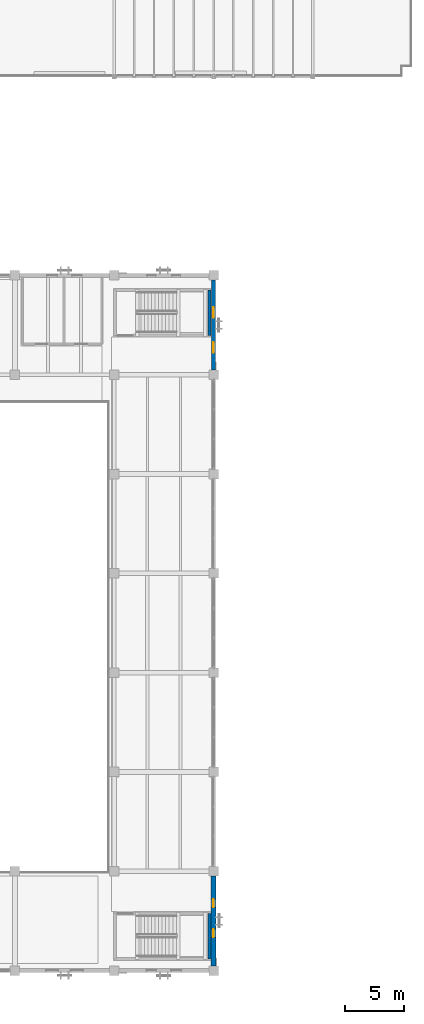
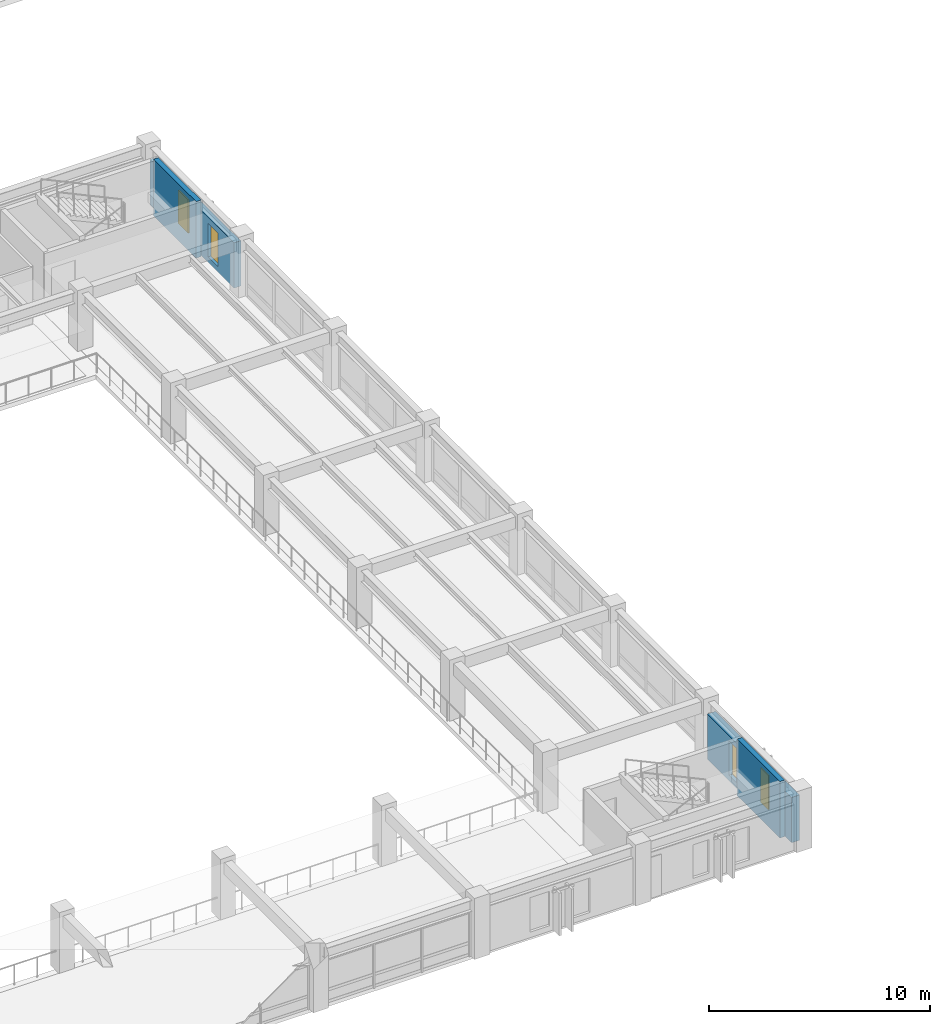
# One storey, part 85 of 111: 4 walls, 4 windows, 4 openings.
"""IFC4 building model written with IfcOpenShell, lengths in metres."""

import ifcopenshell
import ifcopenshell.guid

model = None  # the IFC model being written
_history = None  # IfcOwnerHistory: only IFC2X3 demands one
_inside = {}  # id of a spatial element -> (the spatial element, [elements in it])
_under = {}  # id of a project, library or spatial element -> (it, [spatial elements below it])
_declared = {}  # id of a project -> (the project, [libraries it declares])
_typed = {}  # id of a type object -> (the type object, [elements of that type])
_made_of = {}  # id of a material, layer set ... -> (it, [elements and type objects made of it])


def new_model(schema):
    """Start an empty IFC model of exactly this schema.

    Asked for "IFC4X3", IfcOpenShell would pick the latest addendum, in which some entities
    have other attributes; the version numbers below select the first issue.
    IFC2X3 requires an IfcOwnerHistory on every rooted entity: one is made here for all.
    """
    global model, _history
    if schema == "IFC4X3":
        model = ifcopenshell.file(schema_version=(4, 3, 0, 0))
    else:
        model = ifcopenshell.file(schema=schema)
    _inside.clear()
    _under.clear()
    _declared.clear()
    _typed.clear()
    _made_of.clear()
    _history = None
    if model.schema == "IFC2X3":
        org = make("IfcOrganization", Name="unknown")
        user = make(
            "IfcPersonAndOrganization",
            ThePerson=make("IfcPerson", FamilyName="unknown"),
            TheOrganization=org,
        )
        app = make(
            "IfcApplication",
            ApplicationDeveloper=org,
            Version="unknown",
            ApplicationFullName="unknown",
            ApplicationIdentifier="unknown",
        )
        _history = make(
            "IfcOwnerHistory",
            OwningUser=user,
            OwningApplication=app,
            ChangeAction="ADDED",
            CreationDate=0,
        )
    return model


def make(cls, **values):
    """One entity of the class cls with the attributes given. An attribute that is None is left unset."""
    return model.create_entity(
        cls, **{name: value for name, value in values.items() if value is not None}
    )


def rooted(cls, **values):
    """An entity with a GlobalId (a new one), such as an element, a storey or a relation."""
    return make(cls, GlobalId=ifcopenshell.guid.new(), OwnerHistory=_history, **values)


def si_unit(unit_type, name, prefix=None):
    """IfcSIUnit, for example si_unit("LENGTHUNIT", "METRE", prefix="MILLI")."""
    return make("IfcSIUnit", UnitType=unit_type, Prefix=prefix, Name=name)


def assignment(units):
    """IfcUnitAssignment: the units of a project."""
    return None if units is None else make("IfcUnitAssignment", Units=units)


def point(xyz):
    """IfcCartesianPoint."""
    return None if xyz is None else make("IfcCartesianPoint", Coordinates=xyz)


def direction(xyz):
    """IfcDirection."""
    return None if xyz is None else make("IfcDirection", DirectionRatios=xyz)


def frame(location, z_axis=None, x_axis=None):
    """IfcAxis2Placement3D, a coordinate frame: its origin and axes. An axis left out is left unset."""
    return make(
        "IfcAxis2Placement3D",
        Location=point(location),
        Axis=direction(z_axis),
        RefDirection=direction(x_axis),
    )


def frame_2d(location, x_axis=None):
    """IfcAxis2Placement2D, a coordinate frame in the plane: its origin and x axis."""
    return make(
        "IfcAxis2Placement2D", Location=point(location), RefDirection=direction(x_axis)
    )


def origin():
    """The frame at (0, 0, 0) with its axes left unset."""
    return frame((0.0, 0.0, 0.0))


def place(relative_to, where):
    """IfcLocalPlacement: puts the frame where relative to a parent placement (None: the world)."""
    return make(
        "IfcLocalPlacement", PlacementRelTo=relative_to, RelativePlacement=where
    )


def context(
    kind, dimensions, precision=None, world=None, true_north=None, identifier=None
):
    """IfcGeometricRepresentationContext, for example the 3D "Model" context."""
    return make(
        "IfcGeometricRepresentationContext",
        ContextIdentifier=identifier,
        ContextType=kind,
        CoordinateSpaceDimension=dimensions,
        Precision=precision,
        WorldCoordinateSystem=world,
        TrueNorth=true_north,
    )


def subcontext(parent, identifier, kind, view, scale=None):
    """IfcGeometricRepresentationSubContext, for example "Body" below "Model"."""
    return make(
        "IfcGeometricRepresentationSubContext",
        ContextIdentifier=identifier,
        ContextType=kind,
        ParentContext=parent,
        TargetScale=scale,
        TargetView=view,
    )


def project(units=None, contexts=None):
    """IfcProject with its units and contexts."""
    return rooted(
        "IfcProject",
        Name="project",
        RepresentationContexts=contexts,
        UnitsInContext=assignment(units),
    )


def spatial(cls, under=None, at=None, **own):
    """A site, building, storey or space (cls), placed at a placement, below another one or the project."""
    s = rooted(cls, ObjectPlacement=at, **own)
    if under is not None:
        _under.setdefault(under.id(), (under, []))[1].append(s)
    return s


def profile(cls, at=None, kind="AREA", **sizes):
    """A parametric profile (cls). Its sizes go by their IFC names, for example OverallWidth=200.0."""
    return make(cls, ProfileType=kind, Position=at, **sizes)


def rectangle(**sizes):
    """IfcRectangleProfileDef."""
    return profile("IfcRectangleProfileDef", **sizes)


def extrude(swept, where, along, depth):
    """IfcExtrudedAreaSolid: the profile swept, set in the frame where, extruded along a direction by depth."""
    return make(
        "IfcExtrudedAreaSolid",
        SweptArea=swept,
        Position=where,
        ExtrudedDirection=direction(along),
        Depth=depth,
    )


def shape(context_of_items, identifier, shape_type, items):
    """IfcShapeRepresentation: the items that make up one representation, for example the "Body"."""
    return make(
        "IfcShapeRepresentation",
        ContextOfItems=context_of_items,
        RepresentationIdentifier=identifier,
        RepresentationType=shape_type,
        Items=items,
    )


def material(Name=None, Category=None):
    """IfcMaterial."""
    return make("IfcMaterial", Name=Name, Category=Category)


def layer(
    of_material, thickness, ventilated=None, Name=None, Category=None, Priority=None
):
    """IfcMaterialLayer: one layer of a wall or slab, of a material (None: an air gap)."""
    return make(
        "IfcMaterialLayer",
        Material=of_material,
        LayerThickness=thickness,
        IsVentilated=ventilated,
        Name=Name,
        Category=Category,
        Priority=Priority,
    )


def layer_set(layers, Name=None):
    """IfcMaterialLayerSet."""
    return make("IfcMaterialLayerSet", MaterialLayers=layers, LayerSetName=Name)


def made_of(thing, what):
    """Note that an element or type object is made of a material, layer set ...; save() writes the relation."""
    if what is not None:
        _made_of.setdefault(what.id(), (what, []))[1].append(thing)
    return thing


def type_object(cls, material=None, **own):
    """A type object (cls), such as IfcWallType, which elements share."""
    return made_of(rooted(cls, **own), material)


def element(
    cls,
    number,
    at=None,
    inside=None,
    cuts=None,
    type_object=None,
    material=None,
    context=None,
    identifier="Body",
    shape_type=None,
    held_by="IfcProductDefinitionShape",
    body=None,
    shapes=None,
    **own,
):
    """One element of the class cls, such as IfcWall. Its Tag is "e" and its number.

    at: its placement. inside: the storey or other place that contains it. cuts: it is an
    opening in that element (IfcRelVoidsElement). A single representation is given by context,
    identifier, shape_type and body (its items); several are given by shapes. held_by: the class
    of the entity that holds the representations. save() writes the other relations.
    """
    e = rooted(cls, Tag="e%d" % number, ObjectPlacement=at, **own)
    if body is not None:
        shapes = [shape(context, identifier, shape_type, body)]
    if shapes is not None:
        e.Representation = make(held_by, Representations=shapes)
    if inside is not None:
        _inside.setdefault(inside.id(), (inside, []))[1].append(e)
    if cuts is not None:
        rooted(
            "IfcRelVoidsElement", RelatingBuildingElement=cuts, RelatedOpeningElement=e
        )
    if type_object is not None:
        _typed.setdefault(type_object.id(), (type_object, []))[1].append(e)
    return made_of(e, material)


def fill(opening, filler):
    """IfcRelFillsElement: the door or window that sits in an opening."""
    return rooted(
        "IfcRelFillsElement",
        RelatingOpeningElement=opening,
        RelatedBuildingElement=filler,
    )


def aggregate(whole, parts):
    """IfcRelAggregates: a whole, such as a stair, and the parts it consists of."""
    return rooted("IfcRelAggregates", RelatingObject=whole, RelatedObjects=parts)


def save(model, path):
    """Write the relations noted so far, then the file.

    IfcRelAggregates (storeys below a building ...), IfcRelContainedInSpatialStructure (elements
    in a storey), IfcRelDefinesByType, IfcRelAssociatesMaterial and IfcRelDeclares: one each for
    every whole, place, type object, material and project.
    """
    for whole, parts in _under.values():
        aggregate(whole, parts)
    for where, things in _inside.values():
        rooted(
            "IfcRelContainedInSpatialStructure",
            RelatedElements=things,
            RelatingStructure=where,
        )
    for kind, things in _typed.values():
        rooted("IfcRelDefinesByType", RelatedObjects=things, RelatingType=kind)
    for what, things in _made_of.values():
        rooted("IfcRelAssociatesMaterial", RelatedObjects=things, RelatingMaterial=what)
    for by, libraries in _declared.values():
        rooted("IfcRelDeclares", RelatingContext=by, RelatedDefinitions=libraries)
    model.write(path)


model = new_model("IFC4")

# Units and contexts
model_context = context("Model", 3, precision=1e-05, world=origin(), true_north=direction((0.0, 1.0)))
body_context = subcontext(model_context, "Body", "Model", "MODEL_VIEW")
ifc_project = project(units=[si_unit("LENGTHUNIT", "METRE"), si_unit("AREAUNIT", "SQUARE_METRE"), si_unit("VOLUMEUNIT", "CUBIC_METRE"), si_unit("PLANEANGLEUNIT", "RADIAN"), si_unit("MASSUNIT", "GRAM", prefix="KILO")], contexts=[model_context])

# Site, building, storey
site_placement = place(None, origin())
site = spatial("IfcSite", under=ifc_project, at=site_placement, CompositionType="ELEMENT")
building_placement = place(site_placement, origin())
building = spatial("IfcBuilding", under=site, at=building_placement, Name="Cumbredor Promenade Congress Hotel", CompositionType="ELEMENT")
storey_placement = place(building_placement, frame((0.0, 0.0, 15.1201171875)))
storey = spatial("IfcBuildingStorey", under=building, at=storey_placement, Name="L04", CompositionType="ELEMENT", Elevation=15.1201171875)

# Wall, openings, windows
ifc_material_1 = material(Name="Concrete C40/50", Category="concrete")
ifc_layer_1 = layer(ifc_material_1, 0.35009765625, Name="Concrete C40/50", Category="concrete")
ifc_layer_set_1 = layer_set([ifc_layer_1], Name="Concrete C40/50")
wall_type_1 = type_object("IfcWallType", Name="WL-EXT-350", PredefinedType="SOLIDWALL", material=ifc_layer_set_1)
wall_1_placement = place(storey_placement, frame((67.199951171875, 59.200927734375, 0.0), z_axis=(0.0, 0.0, 1.0), x_axis=(0.0, 1.0, 0.0)))
wall_1 = element("IfcWall", 1, at=wall_1_placement, inside=storey, type_object=wall_type_1, Name="L04 Plenary Congress Hall East Envelope Wall 7", PredefinedType="SOLIDWALL", context=body_context, shape_type="SweptSolid", body=[
    extrude(rectangle(XDim=7.59814453125, YDim=0.35009765625, at=frame_2d((3.799072265625, 0.0))), origin(), (0.0, 0.0, 1.0), 2.493896484375),
])
opening_1_placement = place(wall_1_placement, frame((1.448974609375, 0.0, 0.300048828125)))
opening_1 = element("IfcOpeningElement", 2, at=opening_1_placement, cuts=wall_1, Name="Opening WN-48", PredefinedType="OPENING", context=body_context, shape_type="SweptSolid", body=[
    extrude(rectangle(XDim=0.89990234375, YDim=1.85009765625, at=frame_2d((0.449951171875, 0.925048828125))), frame((0.0, 0.18505859375, 0.0), z_axis=(0.0, -1.0, 0.0), x_axis=(1.0, 0.0, 0.0)), (0.0, 0.0, 1.0), 0.3701171875),
])
opening_2_placement = place(wall_1_placement, frame((4.39892578125, 0.0, 0.300048828125)))
opening_2 = element("IfcOpeningElement", 3, at=opening_2_placement, cuts=wall_1, Name="Opening WN-48", PredefinedType="OPENING", context=body_context, shape_type="SweptSolid", body=[
    extrude(rectangle(XDim=0.89990234375, YDim=1.85009765625, at=frame_2d((0.449951171875, 0.925048828125))), frame((0.0, 0.18505859375, 0.0), z_axis=(0.0, -1.0, 0.0), x_axis=(1.0, 0.0, 0.0)), (0.0, 0.0, 1.0), 0.3701171875),
])
ifc_material_2 = material(Name="Thermally broken anodized aluminium and low-E glass", Category="aluminium")
window_type_1 = type_object("IfcWindowType", Name="Vertical Slot Window WN-48 900x1850", PartitioningType="SINGLE_PANEL", PredefinedType="WINDOW", material=ifc_material_2)
window_1_placement = place(opening_1_placement, origin())
window_1 = element("IfcWindow", 4, at=window_1_placement, inside=storey, type_object=window_type_1, Name="L04 Vertical Slot Window 0470", OverallHeight=1.85009765625, OverallWidth=0.89990234375, PartitioningType="SINGLE_PANEL", PredefinedType="WINDOW", context=body_context, shape_type="SweptSolid", body=[
    extrude(rectangle(XDim=0.89990234375, YDim=1.85009765625, at=frame_2d((0.449951171875, 0.925048828125))), frame((0.0, 0.030029296875, 0.0), z_axis=(0.0, -1.0, 0.0), x_axis=(1.0, 0.0, 0.0)), (0.0, 0.0, 1.0), 0.06005859375),
])
fill(opening_1, window_1)
window_2_placement = place(opening_2_placement, origin())
window_2 = element("IfcWindow", 5, at=window_2_placement, inside=storey, type_object=window_type_1, Name="L04 Vertical Slot Window 0471", OverallHeight=1.85009765625, OverallWidth=0.89990234375, PartitioningType="SINGLE_PANEL", PredefinedType="WINDOW", context=body_context, shape_type="SweptSolid", body=[
    extrude(rectangle(XDim=0.89990234375, YDim=1.85009765625, at=frame_2d((0.449951171875, 0.925048828125))), frame((0.0, 0.030029296875, 0.0), z_axis=(0.0, -1.0, 0.0), x_axis=(1.0, 0.0, 0.0)), (0.0, 0.0, 1.0), 0.06005859375),
])
fill(opening_2, window_2)

ifc_layer_2 = layer(ifc_material_1, 0.425048828125, Name="Concrete C40/50", Category="concrete")
ifc_layer_set_2 = layer_set([ifc_layer_2], Name="Concrete C40/50")
wall_type_2 = type_object("IfcWallType", Name="WL-EXT-425", PredefinedType="SOLIDWALL", material=ifc_layer_set_2)
wall_2_placement = place(storey_placement, frame((67.199951171875, 8.801025390625, 0.0), z_axis=(0.0, 0.0, 1.0), x_axis=(0.0, 1.0, 0.0)))
wall_2 = element("IfcWall", 6, at=wall_2_placement, inside=storey, type_object=wall_type_2, Name="L04 Plenary Congress Hall East Envelope Wall 1", PredefinedType="SOLIDWALL", context=body_context, shape_type="SweptSolid", body=[
    extrude(rectangle(XDim=7.597900390625, YDim=0.425048828125, at=frame_2d((3.798828125, 0.0))), origin(), (0.0, 0.0, 1.0), 2.493896484375),
])
opening_3_placement = place(wall_2_placement, frame((2.39892578125, 0.0, 0.300048828125)))
opening_3 = element("IfcOpeningElement", 7, at=opening_3_placement, cuts=wall_2, Name="Opening WN-65", PredefinedType="OPENING", context=body_context, shape_type="SweptSolid", body=[
    extrude(rectangle(XDim=0.699951171875, YDim=1.89990234375, at=frame_2d((0.35009765625, 0.949951171875))), frame((0.0, 0.22265625, 0.0), z_axis=(0.0, -1.0, 0.0), x_axis=(1.0, 0.0, 0.0)), (0.0, 0.0, 1.0), 0.445068359375),
])
opening_4_placement = place(wall_2_placement, frame((4.948974609375, 0.0, 0.300048828125)))
opening_4 = element("IfcOpeningElement", 8, at=opening_4_placement, cuts=wall_2, Name="Opening WN-65", PredefinedType="OPENING", context=body_context, shape_type="SweptSolid", body=[
    extrude(rectangle(XDim=0.699951171875, YDim=1.89990234375, at=frame_2d((0.35009765625, 0.949951171875))), frame((0.0, 0.22265625, 0.0), z_axis=(0.0, -1.0, 0.0), x_axis=(1.0, 0.0, 0.0)), (0.0, 0.0, 1.0), 0.445068359375),
])
window_type_2 = type_object("IfcWindowType", Name="Vertical Slot Window WN-65 700x1900", PartitioningType="SINGLE_PANEL", PredefinedType="WINDOW", material=ifc_material_2)
window_3_placement = place(opening_3_placement, origin())
window_3 = element("IfcWindow", 9, at=window_3_placement, inside=storey, type_object=window_type_2, Name="L04 Vertical Slot Window 0468", OverallHeight=1.89990234375, OverallWidth=0.699951171875, PartitioningType="SINGLE_PANEL", PredefinedType="WINDOW", context=body_context, shape_type="SweptSolid", body=[
    extrude(rectangle(XDim=0.699951171875, YDim=1.89990234375, at=frame_2d((0.35009765625, 0.949951171875))), frame((0.0, 0.030029296875, 0.0), z_axis=(0.0, -1.0, 0.0), x_axis=(1.0, 0.0, 0.0)), (0.0, 0.0, 1.0), 0.06005859375),
])
fill(opening_3, window_3)
window_4_placement = place(opening_4_placement, origin())
window_4 = element("IfcWindow", 10, at=window_4_placement, inside=storey, type_object=window_type_2, Name="L04 Vertical Slot Window 0469", OverallHeight=1.89990234375, OverallWidth=0.699951171875, PartitioningType="SINGLE_PANEL", PredefinedType="WINDOW", context=body_context, shape_type="SweptSolid", body=[
    extrude(rectangle(XDim=0.699951171875, YDim=1.89990234375, at=frame_2d((0.35009765625, 0.949951171875))), frame((0.0, 0.030029296875, 0.0), z_axis=(0.0, -1.0, 0.0), x_axis=(1.0, 0.0, 0.0)), (0.0, 0.0, 1.0), 0.06005859375),
])
fill(opening_4, window_4)

# Walls
ifc_layer_3 = layer(ifc_material_1, 0.2548828125, Name="Concrete C40/50", Category="concrete")
ifc_layer_set_3 = layer_set([ifc_layer_3], Name="Concrete C40/50")
wall_type_3 = type_object("IfcWallType", Name="WL-SHAFT-250", PredefinedType="SOLIDWALL", material=ifc_layer_set_3)
wall_3_placement = place(storey_placement, frame((66.85009765625, 9.3798828125, 0.0), z_axis=(0.0, 0.0, 1.0), x_axis=(0.0, 1.0, 0.0)))
element("IfcWall", 11, at=wall_3_placement, inside=storey, type_object=wall_type_3, Name="STAIR-ST-05-L04 Shaft Wall East", PredefinedType="SOLIDWALL", context=body_context, shape_type="SweptSolid", body=[
    extrude(rectangle(XDim=3.8701171875, YDim=0.2548828125, at=frame_2d((1.93505859375, 0.0))), origin(), (0.0, 0.0, 1.0), 3.119873046875),
])
wall_4_placement = place(storey_placement, frame((66.85009765625, 62.10009765625, 0.0), z_axis=(0.0, 0.0, 1.0), x_axis=(0.0, 1.0, 0.0)))
element("IfcWall", 12, at=wall_4_placement, inside=storey, type_object=wall_type_3, Name="STAIR-ST-07-L04 Shaft Wall East", PredefinedType="SOLIDWALL", context=body_context, shape_type="SweptSolid", body=[
    extrude(rectangle(XDim=3.849853515625, YDim=0.2548828125, at=frame_2d((1.9248046875, 0.0))), origin(), (0.0, 0.0, 1.0), 3.119873046875),
])

save(model, "model.ifc")
